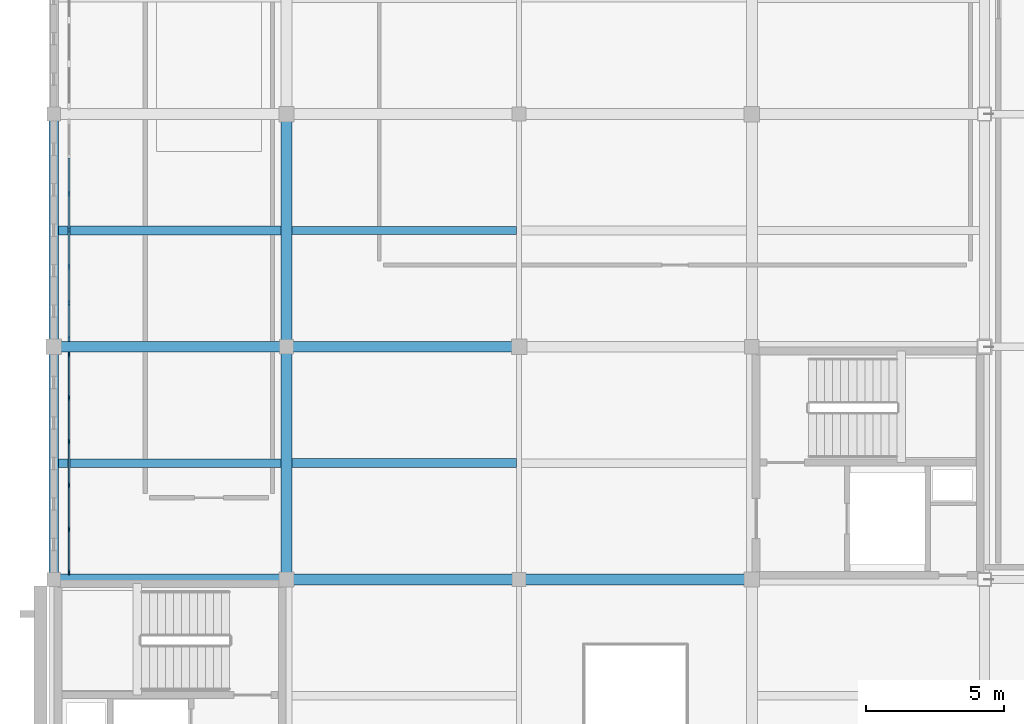
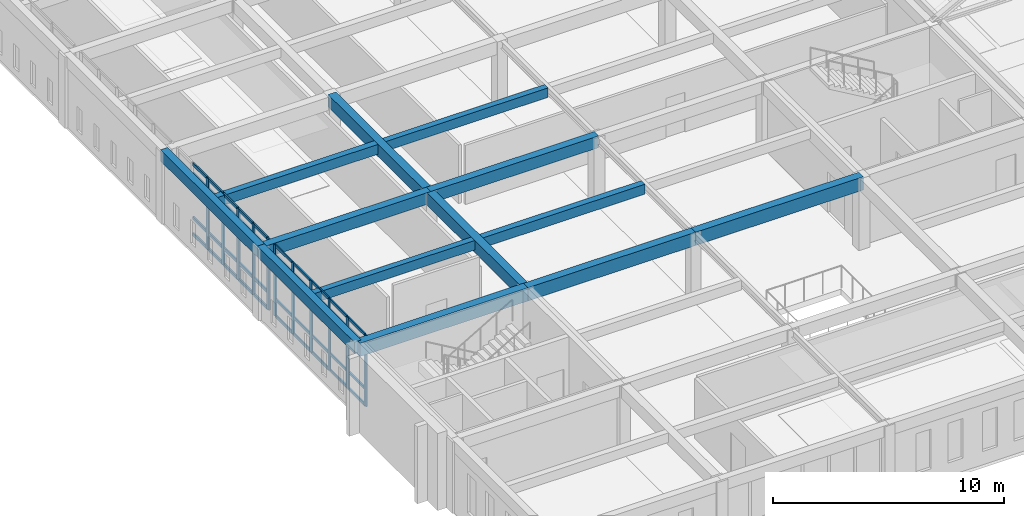
# One storey, part 4 of 36: 51 members, 13 beams, 2 elements without a shape of their own.
"""IFC4 building model written with IfcOpenShell, lengths in metres."""

from ifc_helpers import new_model, si_unit, direction, frame, origin, origin_2d, place, context, subcontext, project, spatial, rectangle, extrude, material, layer, layer_set, material_profile, profile_set, type_object, element, aggregate, save


model = new_model("IFC4")

# Units and contexts
model_context = context("Model", 3, precision=1e-05, world=origin(), true_north=direction((0.0, 1.0)))
body_context = subcontext(model_context, "Body", "Model", "MODEL_VIEW")
ifc_project = project(units=[si_unit("LENGTHUNIT", "METRE"), si_unit("AREAUNIT", "SQUARE_METRE"), si_unit("VOLUMEUNIT", "CUBIC_METRE"), si_unit("PLANEANGLEUNIT", "RADIAN"), si_unit("MASSUNIT", "GRAM", prefix="KILO")], contexts=[model_context])

# Site, building, storey
site_placement = place(None, origin())
site = spatial("IfcSite", under=ifc_project, at=site_placement, CompositionType="ELEMENT")
building_placement = place(site_placement, origin())
building = spatial("IfcBuilding", under=site, at=building_placement, Name="Kveldsbrygga Polytechnic", CompositionType="ELEMENT")
storey_placement = place(building_placement, frame((0.0, 0.0, 22.10009765625)))
storey = spatial("IfcBuildingStorey", under=building, at=storey_placement, Name="L05", CompositionType="ELEMENT", Elevation=22.10009765625)

# Beams
ifc_material_1 = material(Name="Concrete C35/45", Category="concrete")
ifc_material_profile_1 = material_profile(ifc_material_1, rectangle(XDim=0.3798828125, YDim=0.6201171875, at=origin_2d()), Name="RC 380x620")
ifc_profile_set_1 = profile_set([ifc_material_profile_1], Name="Concrete C35/45")
beam_type_1 = type_object("IfcBeamType", Name="BM-RC-380x620", PredefinedType="BEAM", material=ifc_profile_set_1)
beam_1_placement = place(storey_placement, frame((126.0, 42.0, 3.469970703125), z_axis=(1.0, 0.0, 0.0), x_axis=(0.0, 1.0, 0.0)))
element("IfcBeam", 1, at=beam_1_placement, inside=storey, type_object=beam_type_1, Name="Primary Beam BMX-L05-15to16-05", PredefinedType="BEAM", context=body_context, shape_type="SweptSolid", body=[
    extrude(rectangle(XDim=0.3798828125, YDim=0.6201171875, at=origin_2d()), origin(), (0.0, 0.0, 1.0), 8.39990234375),
])
beam_2_placement = place(storey_placement, frame((134.39990234375, 42.0, 3.469970703125), z_axis=(1.0, 0.0, 0.0), x_axis=(0.0, 1.0, 0.0)))
element("IfcBeam", 2, at=beam_2_placement, inside=storey, type_object=beam_type_1, Name="Primary Beam BMX-L05-16to17-05", PredefinedType="BEAM", context=body_context, shape_type="SweptSolid", body=[
    extrude(rectangle(XDim=0.3798828125, YDim=0.6201171875, at=origin_2d()), origin(), (0.0, 0.0, 1.0), 8.400146484375),
])
ifc_material_profile_2 = material_profile(ifc_material_1, rectangle(XDim=0.39990234375, YDim=0.64990234375, at=origin_2d()), Name="RC 400x650")
ifc_profile_set_2 = profile_set([ifc_material_profile_2], Name="Concrete C35/45")
beam_type_2 = type_object("IfcBeamType", Name="BM-RC-400x650", PredefinedType="BEAM", material=ifc_profile_set_2)
for number, where, z_axis, x_axis, name in (
    (3, (134.39990234375, 33.60009765625, 3.454833984375), (0.0, 1.0, 0.0), (-1.0, 0.0, 0.0), "Primary Beam BMY-L05-16-04to05"),
    (4, (134.39990234375, 42.0, 3.454833984375), (0.0, 1.0, 0.0), (-1.0, 0.0, 0.0), "Primary Beam BMY-L05-16-05to06"),
):
    element("IfcBeam", number, at=place(storey_placement, frame(where, z_axis=z_axis, x_axis=x_axis)), inside=storey, type_object=beam_type_2, Name=name, PredefinedType="BEAM", context=body_context, shape_type="SweptSolid", body=[
        extrude(rectangle(XDim=0.39990234375, YDim=0.64990234375, at=origin_2d()), origin(), (0.0, 0.0, 1.0), 8.39990234375),
    ])
ifc_material_profile_3 = material_profile(ifc_material_1, rectangle(XDim=0.39990234375, YDim=0.699951171875, at=origin_2d()), Name="RC 400x700")
ifc_profile_set_3 = profile_set([ifc_material_profile_3], Name="Concrete C35/45")
beam_type_3 = type_object("IfcBeamType", Name="BM-RC-400x700", PredefinedType="BEAM", material=ifc_profile_set_3)
beam_3_placement = place(storey_placement, frame((126.0, 33.60009765625, 3.429931640625), z_axis=(1.0, 0.0, 0.0), x_axis=(0.0, 1.0, 0.0)))
element("IfcBeam", 5, at=beam_3_placement, inside=storey, type_object=beam_type_3, Name="Primary Beam BMX-L05-15to16-04", PredefinedType="BEAM", context=body_context, shape_type="SweptSolid", body=[
    extrude(rectangle(XDim=0.39990234375, YDim=0.699951171875, at=origin_2d()), origin(), (0.0, 0.0, 1.0), 8.39990234375),
])
beam_4_placement = place(storey_placement, frame((134.39990234375, 33.60009765625, 3.429931640625), z_axis=(1.0, 0.0, 0.0), x_axis=(0.0, 1.0, 0.0)))
element("IfcBeam", 6, at=beam_4_placement, inside=storey, type_object=beam_type_3, Name="Primary Beam BMX-L05-16to17-04", PredefinedType="BEAM", context=body_context, shape_type="SweptSolid", body=[
    extrude(rectangle(XDim=0.39990234375, YDim=0.699951171875, at=origin_2d()), origin(), (0.0, 0.0, 1.0), 8.400146484375),
])
beam_5_placement = place(storey_placement, frame((142.800048828125, 33.60009765625, 3.429931640625), z_axis=(1.0, 0.0, 0.0), x_axis=(0.0, 1.0, 0.0)))
element("IfcBeam", 7, at=beam_5_placement, inside=storey, type_object=beam_type_3, Name="Primary Beam BMX-L05-17to18-04", PredefinedType="BEAM", context=body_context, shape_type="SweptSolid", body=[
    extrude(rectangle(XDim=0.39990234375, YDim=0.699951171875, at=origin_2d()), origin(), (0.0, 0.0, 1.0), 8.39990234375),
])
ifc_material_profile_4 = material_profile(ifc_material_1, rectangle(XDim=0.35009765625, YDim=0.60009765625, at=origin_2d()), Name="RC 350x600")
ifc_profile_set_4 = profile_set([ifc_material_profile_4], Name="Concrete C35/45")
beam_type_4 = type_object("IfcBeamType", Name="BM-SPANDREL-600", PredefinedType="T_BEAM", material=ifc_profile_set_4)
for number, where, z_axis, x_axis, name in (
    (8, (126.0, 33.60009765625, 3.47998046875), (0.0, 1.0, 0.0), (-1.0, 0.0, 0.0), "Primary Beam BMY-L05-15-04to05"),
    (9, (126.0, 42.0, 3.47998046875), (0.0, 1.0, 0.0), (-1.0, 0.0, 0.0), "Primary Beam BMY-L05-15-05to06"),
):
    element("IfcBeam", number, at=place(storey_placement, frame(where, z_axis=z_axis, x_axis=x_axis)), inside=storey, type_object=beam_type_4, Name=name, PredefinedType="T_BEAM", context=body_context, shape_type="SweptSolid", body=[
        extrude(rectangle(XDim=0.35009765625, YDim=0.60009765625, at=origin_2d()), origin(), (0.0, 0.0, 1.0), 8.39990234375),
    ])

# Curtain wall, members
ifc_material_2 = material(Name="Anodised aluminium AW-6060", Category="aluminium")
ifc_layer_1 = layer(ifc_material_2, 0.199951171875)
ifc_layer_set_1 = layer_set([ifc_layer_1], Name="Anodised aluminium AW-6060")
curtain_wall_type_1 = type_object("IfcCurtainWallType", Name="CW-CONC-B", PredefinedType="USERDEFINED", material=ifc_layer_set_1)
curtain_wall_1_placement = place(storey_placement, origin())
curtain_wall_1 = element("IfcCurtainWall", 10, at=curtain_wall_1_placement, inside=storey, type_object=curtain_wall_type_1, Name="Curtain Wall CW-L05-Y-15-04", ObjectType="UNITISED CURTAIN WALL", PredefinedType="USERDEFINED")
ifc_material_profile_5 = material_profile(ifc_material_2, rectangle(XDim=0.06005859375, YDim=0.179931640625, at=origin_2d()), Name="ALU 60x180")
ifc_profile_set_5 = profile_set([ifc_material_profile_5], Name="Anodised aluminium AW-6060")
member_type_1 = type_object("IfcMemberType", Name="CW-MUL-180", PredefinedType="MULLION", material=ifc_profile_set_5)
member_1_placement = place(storey_placement, frame((126.550048828125, 33.864990234375, 0.0), z_axis=(0.0, 0.0, 1.0), x_axis=(-1.0, 0.0, 0.0)))
member_1 = element("IfcMember", 11, at=member_1_placement, type_object=member_type_1, Name="CW-02 mullion 1", PredefinedType="MULLION", context=body_context, shape_type="SweptSolid", body=[
    extrude(rectangle(XDim=0.06005859375, YDim=0.179931640625, at=origin_2d()), origin(), (0.0, 0.0, 1.0), 3.77978515625),
])
member_2_placement = place(storey_placement, frame((126.550048828125, 35.416015625, 0.0), z_axis=(0.0, 0.0, 1.0), x_axis=(-1.0, 0.0, 0.0)))
member_2 = element("IfcMember", 12, at=member_2_placement, type_object=member_type_1, Name="CW-02 mullion 2", PredefinedType="MULLION", context=body_context, shape_type="SweptSolid", body=[
    extrude(rectangle(XDim=0.06005859375, YDim=0.179931640625, at=origin_2d()), origin(), (0.0, 0.0, 1.0), 3.77978515625),
])
member_3_placement = place(storey_placement, frame((126.550048828125, 36.9970703125, 0.0), z_axis=(0.0, 0.0, 1.0), x_axis=(-1.0, 0.0, 0.0)))
member_3 = element("IfcMember", 13, at=member_3_placement, type_object=member_type_1, Name="CW-02 mullion 3", PredefinedType="MULLION", context=body_context, shape_type="SweptSolid", body=[
    extrude(rectangle(XDim=0.06005859375, YDim=0.179931640625, at=origin_2d()), origin(), (0.0, 0.0, 1.0), 3.77978515625),
])
member_4_placement = place(storey_placement, frame((126.550048828125, 38.577880859375, 0.0), z_axis=(0.0, 0.0, 1.0), x_axis=(-1.0, 0.0, 0.0)))
member_4 = element("IfcMember", 14, at=member_4_placement, type_object=member_type_1, Name="CW-02 mullion 4", PredefinedType="MULLION", context=body_context, shape_type="SweptSolid", body=[
    extrude(rectangle(XDim=0.06005859375, YDim=0.179931640625, at=origin_2d()), origin(), (0.0, 0.0, 1.0), 3.77978515625),
])
member_5_placement = place(storey_placement, frame((126.550048828125, 40.158935546875, 0.0), z_axis=(0.0, 0.0, 1.0), x_axis=(-1.0, 0.0, 0.0)))
member_5 = element("IfcMember", 15, at=member_5_placement, type_object=member_type_1, Name="CW-02 mullion 5", PredefinedType="MULLION", context=body_context, shape_type="SweptSolid", body=[
    extrude(rectangle(XDim=0.06005859375, YDim=0.179931640625, at=origin_2d()), origin(), (0.0, 0.0, 1.0), 3.77978515625),
])
member_6_placement = place(storey_placement, frame((126.550048828125, 41.7099609375, 0.0), z_axis=(0.0, 0.0, 1.0), x_axis=(-1.0, 0.0, 0.0)))
member_6 = element("IfcMember", 16, at=member_6_placement, type_object=member_type_1, Name="CW-02 mullion 6", PredefinedType="MULLION", context=body_context, shape_type="SweptSolid", body=[
    extrude(rectangle(XDim=0.06005859375, YDim=0.179931640625, at=origin_2d()), origin(), (0.0, 0.0, 1.0), 3.77978515625),
])

ifc_layer_2 = layer(ifc_material_2, 0.159912109375)
ifc_layer_set_2 = layer_set([ifc_layer_2], Name="Anodised aluminium AW-6060")
curtain_wall_type_2 = type_object("IfcCurtainWallType", Name="CW-CLER-C", PredefinedType="USERDEFINED", material=ifc_layer_set_2)
curtain_wall_2_placement = place(storey_placement, origin())
curtain_wall_2 = element("IfcCurtainWall", 17, at=curtain_wall_2_placement, inside=storey, type_object=curtain_wall_type_2, Name="Curtain Wall CW-L05-Y-15-05", ObjectType="STICK CURTAIN WALL", PredefinedType="USERDEFINED")
ifc_material_profile_6 = material_profile(ifc_material_2, rectangle(XDim=0.074951171875, YDim=0.199951171875, at=origin_2d()), Name="ALU 75x200")
ifc_profile_set_6 = profile_set([ifc_material_profile_6], Name="Anodised aluminium AW-6060")
member_type_2 = type_object("IfcMemberType", Name="CW-MUL-200", PredefinedType="MULLION", material=ifc_profile_set_6)
member_7_placement = place(storey_placement, frame((126.550048828125, 42.297607421875, 0.0), z_axis=(0.0, 0.0, 1.0), x_axis=(-1.0, 0.0, 0.0)))
member_7 = element("IfcMember", 18, at=member_7_placement, type_object=member_type_2, Name="CW-03 mullion 1", PredefinedType="MULLION", context=body_context, shape_type="SweptSolid", body=[
    extrude(rectangle(XDim=0.074951171875, YDim=0.199951171875, at=origin_2d()), origin(), (0.0, 0.0, 1.0), 3.77978515625),
])
member_8_placement = place(storey_placement, frame((126.550048828125, 43.577392578125, 0.0), z_axis=(0.0, 0.0, 1.0), x_axis=(-1.0, 0.0, 0.0)))
member_8 = element("IfcMember", 19, at=member_8_placement, type_object=member_type_2, Name="CW-03 mullion 2", PredefinedType="MULLION", context=body_context, shape_type="SweptSolid", body=[
    extrude(rectangle(XDim=0.074951171875, YDim=0.199951171875, at=origin_2d()), origin(), (0.0, 0.0, 1.0), 3.77978515625),
])
member_9_placement = place(storey_placement, frame((126.550048828125, 44.89501953125, 0.0), z_axis=(0.0, 0.0, 1.0), x_axis=(-1.0, 0.0, 0.0)))
member_9 = element("IfcMember", 20, at=member_9_placement, type_object=member_type_2, Name="CW-03 mullion 3", PredefinedType="MULLION", context=body_context, shape_type="SweptSolid", body=[
    extrude(rectangle(XDim=0.074951171875, YDim=0.199951171875, at=origin_2d()), origin(), (0.0, 0.0, 1.0), 3.77978515625),
])
member_10_placement = place(storey_placement, frame((126.550048828125, 46.21240234375, 0.0), z_axis=(0.0, 0.0, 1.0), x_axis=(-1.0, 0.0, 0.0)))
member_10 = element("IfcMember", 21, at=member_10_placement, type_object=member_type_2, Name="CW-03 mullion 4", PredefinedType="MULLION", context=body_context, shape_type="SweptSolid", body=[
    extrude(rectangle(XDim=0.074951171875, YDim=0.199951171875, at=origin_2d()), origin(), (0.0, 0.0, 1.0), 3.77978515625),
])
member_11_placement = place(storey_placement, frame((126.550048828125, 47.530029296875, 0.0), z_axis=(0.0, 0.0, 1.0), x_axis=(-1.0, 0.0, 0.0)))
member_11 = element("IfcMember", 22, at=member_11_placement, type_object=member_type_2, Name="CW-03 mullion 5", PredefinedType="MULLION", context=body_context, shape_type="SweptSolid", body=[
    extrude(rectangle(XDim=0.074951171875, YDim=0.199951171875, at=origin_2d()), origin(), (0.0, 0.0, 1.0), 3.77978515625),
])

# Member
ifc_material_profile_7 = material_profile(ifc_material_2, rectangle(XDim=0.06005859375, YDim=0.14990234375, at=origin_2d()), Name="ALU 60x150")
ifc_profile_set_7 = profile_set([ifc_material_profile_7], Name="Anodised aluminium AW-6060")
member_type_3 = type_object("IfcMemberType", Name="CW-TRN-150", PredefinedType="USERDEFINED", material=ifc_profile_set_7)
member_12_placement = place(storey_placement, frame((126.550048828125, 33.89501953125, 0.02978515625), z_axis=(0.0, 1.0, 0.0), x_axis=(-1.0, 0.0, 0.0)))
member_12 = element("IfcMember", 23, at=member_12_placement, type_object=member_type_3, Name="CW-02 transom 1.1", ObjectType="TRANSOM", PredefinedType="USERDEFINED", context=body_context, shape_type="SweptSolid", body=[
    extrude(rectangle(XDim=0.06005859375, YDim=0.14990234375, at=origin_2d()), origin(), (0.0, 0.0, 1.0), 1.490966796875),
])

member_13_placement = place(storey_placement, frame((126.550048828125, 33.89501953125, 0.89990234375), z_axis=(0.0, 1.0, 0.0), x_axis=(-1.0, 0.0, 0.0)))
member_13 = element("IfcMember", 24, at=member_13_placement, type_object=member_type_3, Name="CW-02 transom 1.2", ObjectType="TRANSOM", PredefinedType="USERDEFINED", context=body_context, shape_type="SweptSolid", body=[
    extrude(rectangle(XDim=0.06005859375, YDim=0.14990234375, at=origin_2d()), origin(), (0.0, 0.0, 1.0), 1.490966796875),
])

member_14_placement = place(storey_placement, frame((126.550048828125, 33.89501953125, 3.22998046875), z_axis=(0.0, 1.0, 0.0), x_axis=(-1.0, 0.0, 0.0)))
member_14 = element("IfcMember", 25, at=member_14_placement, type_object=member_type_3, Name="CW-02 transom 1.3", ObjectType="TRANSOM", PredefinedType="USERDEFINED", context=body_context, shape_type="SweptSolid", body=[
    extrude(rectangle(XDim=0.06005859375, YDim=0.14990234375, at=origin_2d()), origin(), (0.0, 0.0, 1.0), 1.490966796875),
])

member_15_placement = place(storey_placement, frame((126.550048828125, 33.89501953125, 3.75), z_axis=(0.0, 1.0, 0.0), x_axis=(-1.0, 0.0, 0.0)))
member_15 = element("IfcMember", 26, at=member_15_placement, type_object=member_type_3, Name="CW-02 transom 1.4", ObjectType="TRANSOM", PredefinedType="USERDEFINED", context=body_context, shape_type="SweptSolid", body=[
    extrude(rectangle(XDim=0.06005859375, YDim=0.14990234375, at=origin_2d()), origin(), (0.0, 0.0, 1.0), 1.490966796875),
])

member_16_placement = place(storey_placement, frame((126.550048828125, 35.446044921875, 0.02978515625), z_axis=(0.0, 1.0, 0.0), x_axis=(-1.0, 0.0, 0.0)))
member_16 = element("IfcMember", 27, at=member_16_placement, type_object=member_type_3, Name="CW-02 transom 2.1", ObjectType="TRANSOM", PredefinedType="USERDEFINED", context=body_context, shape_type="SweptSolid", body=[
    extrude(rectangle(XDim=0.06005859375, YDim=0.14990234375, at=origin_2d()), origin(), (0.0, 0.0, 1.0), 1.52099609375),
])

member_17_placement = place(storey_placement, frame((126.550048828125, 35.446044921875, 0.89990234375), z_axis=(0.0, 1.0, 0.0), x_axis=(-1.0, 0.0, 0.0)))
member_17 = element("IfcMember", 28, at=member_17_placement, type_object=member_type_3, Name="CW-02 transom 2.2", ObjectType="TRANSOM", PredefinedType="USERDEFINED", context=body_context, shape_type="SweptSolid", body=[
    extrude(rectangle(XDim=0.06005859375, YDim=0.14990234375, at=origin_2d()), origin(), (0.0, 0.0, 1.0), 1.52099609375),
])

member_18_placement = place(storey_placement, frame((126.550048828125, 35.446044921875, 3.22998046875), z_axis=(0.0, 1.0, 0.0), x_axis=(-1.0, 0.0, 0.0)))
member_18 = element("IfcMember", 29, at=member_18_placement, type_object=member_type_3, Name="CW-02 transom 2.3", ObjectType="TRANSOM", PredefinedType="USERDEFINED", context=body_context, shape_type="SweptSolid", body=[
    extrude(rectangle(XDim=0.06005859375, YDim=0.14990234375, at=origin_2d()), origin(), (0.0, 0.0, 1.0), 1.52099609375),
])

member_19_placement = place(storey_placement, frame((126.550048828125, 35.446044921875, 3.75), z_axis=(0.0, 1.0, 0.0), x_axis=(-1.0, 0.0, 0.0)))
member_19 = element("IfcMember", 30, at=member_19_placement, type_object=member_type_3, Name="CW-02 transom 2.4", ObjectType="TRANSOM", PredefinedType="USERDEFINED", context=body_context, shape_type="SweptSolid", body=[
    extrude(rectangle(XDim=0.06005859375, YDim=0.14990234375, at=origin_2d()), origin(), (0.0, 0.0, 1.0), 1.52099609375),
])

member_20_placement = place(storey_placement, frame((126.550048828125, 37.027099609375, 0.02978515625), z_axis=(0.0, 1.0, 0.0), x_axis=(-1.0, 0.0, 0.0)))
member_20 = element("IfcMember", 31, at=member_20_placement, type_object=member_type_3, Name="CW-02 transom 3.1", ObjectType="TRANSOM", PredefinedType="USERDEFINED", context=body_context, shape_type="SweptSolid", body=[
    extrude(rectangle(XDim=0.06005859375, YDim=0.14990234375, at=origin_2d()), origin(), (0.0, 0.0, 1.0), 1.52099609375),
])

member_21_placement = place(storey_placement, frame((126.550048828125, 37.027099609375, 0.89990234375), z_axis=(0.0, 1.0, 0.0), x_axis=(-1.0, 0.0, 0.0)))
member_21 = element("IfcMember", 32, at=member_21_placement, type_object=member_type_3, Name="CW-02 transom 3.2", ObjectType="TRANSOM", PredefinedType="USERDEFINED", context=body_context, shape_type="SweptSolid", body=[
    extrude(rectangle(XDim=0.06005859375, YDim=0.14990234375, at=origin_2d()), origin(), (0.0, 0.0, 1.0), 1.52099609375),
])

member_22_placement = place(storey_placement, frame((126.550048828125, 37.027099609375, 3.22998046875), z_axis=(0.0, 1.0, 0.0), x_axis=(-1.0, 0.0, 0.0)))
member_22 = element("IfcMember", 33, at=member_22_placement, type_object=member_type_3, Name="CW-02 transom 3.3", ObjectType="TRANSOM", PredefinedType="USERDEFINED", context=body_context, shape_type="SweptSolid", body=[
    extrude(rectangle(XDim=0.06005859375, YDim=0.14990234375, at=origin_2d()), origin(), (0.0, 0.0, 1.0), 1.52099609375),
])

member_23_placement = place(storey_placement, frame((126.550048828125, 37.027099609375, 3.75), z_axis=(0.0, 1.0, 0.0), x_axis=(-1.0, 0.0, 0.0)))
member_23 = element("IfcMember", 34, at=member_23_placement, type_object=member_type_3, Name="CW-02 transom 3.4", ObjectType="TRANSOM", PredefinedType="USERDEFINED", context=body_context, shape_type="SweptSolid", body=[
    extrude(rectangle(XDim=0.06005859375, YDim=0.14990234375, at=origin_2d()), origin(), (0.0, 0.0, 1.0), 1.52099609375),
])

member_24_placement = place(storey_placement, frame((126.550048828125, 38.60791015625, 0.02978515625), z_axis=(0.0, 1.0, 0.0), x_axis=(-1.0, 0.0, 0.0)))
member_24 = element("IfcMember", 35, at=member_24_placement, type_object=member_type_3, Name="CW-02 transom 4.1", ObjectType="TRANSOM", PredefinedType="USERDEFINED", context=body_context, shape_type="SweptSolid", body=[
    extrude(rectangle(XDim=0.06005859375, YDim=0.14990234375, at=origin_2d()), origin(), (0.0, 0.0, 1.0), 1.52099609375),
])

member_25_placement = place(storey_placement, frame((126.550048828125, 38.60791015625, 0.89990234375), z_axis=(0.0, 1.0, 0.0), x_axis=(-1.0, 0.0, 0.0)))
member_25 = element("IfcMember", 36, at=member_25_placement, type_object=member_type_3, Name="CW-02 transom 4.2", ObjectType="TRANSOM", PredefinedType="USERDEFINED", context=body_context, shape_type="SweptSolid", body=[
    extrude(rectangle(XDim=0.06005859375, YDim=0.14990234375, at=origin_2d()), origin(), (0.0, 0.0, 1.0), 1.52099609375),
])

member_26_placement = place(storey_placement, frame((126.550048828125, 38.60791015625, 3.22998046875), z_axis=(0.0, 1.0, 0.0), x_axis=(-1.0, 0.0, 0.0)))
member_26 = element("IfcMember", 37, at=member_26_placement, type_object=member_type_3, Name="CW-02 transom 4.3", ObjectType="TRANSOM", PredefinedType="USERDEFINED", context=body_context, shape_type="SweptSolid", body=[
    extrude(rectangle(XDim=0.06005859375, YDim=0.14990234375, at=origin_2d()), origin(), (0.0, 0.0, 1.0), 1.52099609375),
])

member_27_placement = place(storey_placement, frame((126.550048828125, 38.60791015625, 3.75), z_axis=(0.0, 1.0, 0.0), x_axis=(-1.0, 0.0, 0.0)))
member_27 = element("IfcMember", 38, at=member_27_placement, type_object=member_type_3, Name="CW-02 transom 4.4", ObjectType="TRANSOM", PredefinedType="USERDEFINED", context=body_context, shape_type="SweptSolid", body=[
    extrude(rectangle(XDim=0.06005859375, YDim=0.14990234375, at=origin_2d()), origin(), (0.0, 0.0, 1.0), 1.52099609375),
])

member_28_placement = place(storey_placement, frame((126.550048828125, 40.18896484375, 0.02978515625), z_axis=(0.0, 1.0, 0.0), x_axis=(-1.0, 0.0, 0.0)))
member_28 = element("IfcMember", 39, at=member_28_placement, type_object=member_type_3, Name="CW-02 transom 5.1", ObjectType="TRANSOM", PredefinedType="USERDEFINED", context=body_context, shape_type="SweptSolid", body=[
    extrude(rectangle(XDim=0.06005859375, YDim=0.14990234375, at=origin_2d()), origin(), (0.0, 0.0, 1.0), 1.490966796875),
])

member_29_placement = place(storey_placement, frame((126.550048828125, 40.18896484375, 0.89990234375), z_axis=(0.0, 1.0, 0.0), x_axis=(-1.0, 0.0, 0.0)))
member_29 = element("IfcMember", 40, at=member_29_placement, type_object=member_type_3, Name="CW-02 transom 5.2", ObjectType="TRANSOM", PredefinedType="USERDEFINED", context=body_context, shape_type="SweptSolid", body=[
    extrude(rectangle(XDim=0.06005859375, YDim=0.14990234375, at=origin_2d()), origin(), (0.0, 0.0, 1.0), 1.490966796875),
])

member_30_placement = place(storey_placement, frame((126.550048828125, 40.18896484375, 3.22998046875), z_axis=(0.0, 1.0, 0.0), x_axis=(-1.0, 0.0, 0.0)))
member_30 = element("IfcMember", 41, at=member_30_placement, type_object=member_type_3, Name="CW-02 transom 5.3", ObjectType="TRANSOM", PredefinedType="USERDEFINED", context=body_context, shape_type="SweptSolid", body=[
    extrude(rectangle(XDim=0.06005859375, YDim=0.14990234375, at=origin_2d()), origin(), (0.0, 0.0, 1.0), 1.490966796875),
])

member_31_placement = place(storey_placement, frame((126.550048828125, 40.18896484375, 3.75), z_axis=(0.0, 1.0, 0.0), x_axis=(-1.0, 0.0, 0.0)))
member_31 = element("IfcMember", 42, at=member_31_placement, type_object=member_type_3, Name="CW-02 transom 5.4", ObjectType="TRANSOM", PredefinedType="USERDEFINED", context=body_context, shape_type="SweptSolid", body=[
    extrude(rectangle(XDim=0.06005859375, YDim=0.14990234375, at=origin_2d()), origin(), (0.0, 0.0, 1.0), 1.490966796875),
])

aggregate(curtain_wall_1, [member_1, member_2, member_3, member_4, member_5, member_6, member_12, member_13, member_14, member_15, member_16, member_17, member_18, member_19, member_20, member_21, member_22, member_23, member_24, member_25, member_26, member_27, member_28, member_29, member_30, member_31])

ifc_material_profile_8 = material_profile(ifc_material_2, rectangle(XDim=0.074951171875, YDim=0.159912109375, at=origin_2d()), Name="ALU 75x160")
ifc_profile_set_8 = profile_set([ifc_material_profile_8], Name="Anodised aluminium AW-6060")
member_type_4 = type_object("IfcMemberType", Name="CW-TRN-160", PredefinedType="USERDEFINED", material=ifc_profile_set_8)
member_32_placement = place(storey_placement, frame((126.550048828125, 42.3349609375, 0.037353515625), z_axis=(0.0, 1.0, 0.0), x_axis=(-1.0, 0.0, 0.0)))
member_32 = element("IfcMember", 43, at=member_32_placement, type_object=member_type_4, Name="CW-03 transom 1.1", ObjectType="TRANSOM", PredefinedType="USERDEFINED", context=body_context, shape_type="SweptSolid", body=[
    extrude(rectangle(XDim=0.074951171875, YDim=0.159912109375, at=origin_2d()), origin(), (0.0, 0.0, 1.0), 1.205078125),
])

member_33_placement = place(storey_placement, frame((126.550048828125, 42.3349609375, 0.89990234375), z_axis=(0.0, 1.0, 0.0), x_axis=(-1.0, 0.0, 0.0)))
member_33 = element("IfcMember", 44, at=member_33_placement, type_object=member_type_4, Name="CW-03 transom 1.2", ObjectType="TRANSOM", PredefinedType="USERDEFINED", context=body_context, shape_type="SweptSolid", body=[
    extrude(rectangle(XDim=0.074951171875, YDim=0.159912109375, at=origin_2d()), origin(), (0.0, 0.0, 1.0), 1.205078125),
])

member_34_placement = place(storey_placement, frame((126.550048828125, 42.3349609375, 3.22998046875), z_axis=(0.0, 1.0, 0.0), x_axis=(-1.0, 0.0, 0.0)))
member_34 = element("IfcMember", 45, at=member_34_placement, type_object=member_type_4, Name="CW-03 transom 1.3", ObjectType="TRANSOM", PredefinedType="USERDEFINED", context=body_context, shape_type="SweptSolid", body=[
    extrude(rectangle(XDim=0.074951171875, YDim=0.159912109375, at=origin_2d()), origin(), (0.0, 0.0, 1.0), 1.205078125),
])

member_35_placement = place(storey_placement, frame((126.550048828125, 42.3349609375, 3.742431640625), z_axis=(0.0, 1.0, 0.0), x_axis=(-1.0, 0.0, 0.0)))
member_35 = element("IfcMember", 46, at=member_35_placement, type_object=member_type_4, Name="CW-03 transom 1.4", ObjectType="TRANSOM", PredefinedType="USERDEFINED", context=body_context, shape_type="SweptSolid", body=[
    extrude(rectangle(XDim=0.074951171875, YDim=0.159912109375, at=origin_2d()), origin(), (0.0, 0.0, 1.0), 1.205078125),
])

member_36_placement = place(storey_placement, frame((126.550048828125, 43.614990234375, 0.037353515625), z_axis=(0.0, 1.0, 0.0), x_axis=(-1.0, 0.0, 0.0)))
member_36 = element("IfcMember", 47, at=member_36_placement, type_object=member_type_4, Name="CW-03 transom 2.1", ObjectType="TRANSOM", PredefinedType="USERDEFINED", context=body_context, shape_type="SweptSolid", body=[
    extrude(rectangle(XDim=0.074951171875, YDim=0.159912109375, at=origin_2d()), origin(), (0.0, 0.0, 1.0), 1.242431640625),
])

member_37_placement = place(storey_placement, frame((126.550048828125, 43.614990234375, 0.89990234375), z_axis=(0.0, 1.0, 0.0), x_axis=(-1.0, 0.0, 0.0)))
member_37 = element("IfcMember", 48, at=member_37_placement, type_object=member_type_4, Name="CW-03 transom 2.2", ObjectType="TRANSOM", PredefinedType="USERDEFINED", context=body_context, shape_type="SweptSolid", body=[
    extrude(rectangle(XDim=0.074951171875, YDim=0.159912109375, at=origin_2d()), origin(), (0.0, 0.0, 1.0), 1.242431640625),
])

member_38_placement = place(storey_placement, frame((126.550048828125, 43.614990234375, 3.22998046875), z_axis=(0.0, 1.0, 0.0), x_axis=(-1.0, 0.0, 0.0)))
member_38 = element("IfcMember", 49, at=member_38_placement, type_object=member_type_4, Name="CW-03 transom 2.3", ObjectType="TRANSOM", PredefinedType="USERDEFINED", context=body_context, shape_type="SweptSolid", body=[
    extrude(rectangle(XDim=0.074951171875, YDim=0.159912109375, at=origin_2d()), origin(), (0.0, 0.0, 1.0), 1.242431640625),
])

member_39_placement = place(storey_placement, frame((126.550048828125, 43.614990234375, 3.742431640625), z_axis=(0.0, 1.0, 0.0), x_axis=(-1.0, 0.0, 0.0)))
member_39 = element("IfcMember", 50, at=member_39_placement, type_object=member_type_4, Name="CW-03 transom 2.4", ObjectType="TRANSOM", PredefinedType="USERDEFINED", context=body_context, shape_type="SweptSolid", body=[
    extrude(rectangle(XDim=0.074951171875, YDim=0.159912109375, at=origin_2d()), origin(), (0.0, 0.0, 1.0), 1.242431640625),
])

member_40_placement = place(storey_placement, frame((126.550048828125, 44.9326171875, 0.037353515625), z_axis=(0.0, 1.0, 0.0), x_axis=(-1.0, 0.0, 0.0)))
member_40 = element("IfcMember", 51, at=member_40_placement, type_object=member_type_4, Name="CW-03 transom 3.1", ObjectType="TRANSOM", PredefinedType="USERDEFINED", context=body_context, shape_type="SweptSolid", body=[
    extrude(rectangle(XDim=0.074951171875, YDim=0.159912109375, at=origin_2d()), origin(), (0.0, 0.0, 1.0), 1.242431640625),
])

member_41_placement = place(storey_placement, frame((126.550048828125, 44.9326171875, 0.89990234375), z_axis=(0.0, 1.0, 0.0), x_axis=(-1.0, 0.0, 0.0)))
member_41 = element("IfcMember", 52, at=member_41_placement, type_object=member_type_4, Name="CW-03 transom 3.2", ObjectType="TRANSOM", PredefinedType="USERDEFINED", context=body_context, shape_type="SweptSolid", body=[
    extrude(rectangle(XDim=0.074951171875, YDim=0.159912109375, at=origin_2d()), origin(), (0.0, 0.0, 1.0), 1.242431640625),
])

member_42_placement = place(storey_placement, frame((126.550048828125, 44.9326171875, 3.22998046875), z_axis=(0.0, 1.0, 0.0), x_axis=(-1.0, 0.0, 0.0)))
member_42 = element("IfcMember", 53, at=member_42_placement, type_object=member_type_4, Name="CW-03 transom 3.3", ObjectType="TRANSOM", PredefinedType="USERDEFINED", context=body_context, shape_type="SweptSolid", body=[
    extrude(rectangle(XDim=0.074951171875, YDim=0.159912109375, at=origin_2d()), origin(), (0.0, 0.0, 1.0), 1.242431640625),
])

member_43_placement = place(storey_placement, frame((126.550048828125, 44.9326171875, 3.742431640625), z_axis=(0.0, 1.0, 0.0), x_axis=(-1.0, 0.0, 0.0)))
member_43 = element("IfcMember", 54, at=member_43_placement, type_object=member_type_4, Name="CW-03 transom 3.4", ObjectType="TRANSOM", PredefinedType="USERDEFINED", context=body_context, shape_type="SweptSolid", body=[
    extrude(rectangle(XDim=0.074951171875, YDim=0.159912109375, at=origin_2d()), origin(), (0.0, 0.0, 1.0), 1.242431640625),
])

member_44_placement = place(storey_placement, frame((126.550048828125, 46.25, 0.037353515625), z_axis=(0.0, 1.0, 0.0), x_axis=(-1.0, 0.0, 0.0)))
member_44 = element("IfcMember", 55, at=member_44_placement, type_object=member_type_4, Name="CW-03 transom 4.1", ObjectType="TRANSOM", PredefinedType="USERDEFINED", context=body_context, shape_type="SweptSolid", body=[
    extrude(rectangle(XDim=0.074951171875, YDim=0.159912109375, at=origin_2d()), origin(), (0.0, 0.0, 1.0), 1.242431640625),
])

member_45_placement = place(storey_placement, frame((126.550048828125, 46.25, 0.89990234375), z_axis=(0.0, 1.0, 0.0), x_axis=(-1.0, 0.0, 0.0)))
member_45 = element("IfcMember", 56, at=member_45_placement, type_object=member_type_4, Name="CW-03 transom 4.2", ObjectType="TRANSOM", PredefinedType="USERDEFINED", context=body_context, shape_type="SweptSolid", body=[
    extrude(rectangle(XDim=0.074951171875, YDim=0.159912109375, at=origin_2d()), origin(), (0.0, 0.0, 1.0), 1.242431640625),
])

member_46_placement = place(storey_placement, frame((126.550048828125, 46.25, 3.22998046875), z_axis=(0.0, 1.0, 0.0), x_axis=(-1.0, 0.0, 0.0)))
member_46 = element("IfcMember", 57, at=member_46_placement, type_object=member_type_4, Name="CW-03 transom 4.3", ObjectType="TRANSOM", PredefinedType="USERDEFINED", context=body_context, shape_type="SweptSolid", body=[
    extrude(rectangle(XDim=0.074951171875, YDim=0.159912109375, at=origin_2d()), origin(), (0.0, 0.0, 1.0), 1.242431640625),
])

member_47_placement = place(storey_placement, frame((126.550048828125, 46.25, 3.742431640625), z_axis=(0.0, 1.0, 0.0), x_axis=(-1.0, 0.0, 0.0)))
member_47 = element("IfcMember", 58, at=member_47_placement, type_object=member_type_4, Name="CW-03 transom 4.4", ObjectType="TRANSOM", PredefinedType="USERDEFINED", context=body_context, shape_type="SweptSolid", body=[
    extrude(rectangle(XDim=0.074951171875, YDim=0.159912109375, at=origin_2d()), origin(), (0.0, 0.0, 1.0), 1.242431640625),
])

member_48_placement = place(storey_placement, frame((126.550048828125, 47.5673828125, 0.037353515625), z_axis=(0.0, 1.0, 0.0), x_axis=(-1.0, 0.0, 0.0)))
member_48 = element("IfcMember", 59, at=member_48_placement, type_object=member_type_4, Name="CW-03 transom 5.1", ObjectType="TRANSOM", PredefinedType="USERDEFINED", context=body_context, shape_type="SweptSolid", body=[
    extrude(rectangle(XDim=0.074951171875, YDim=0.159912109375, at=origin_2d()), origin(), (0.0, 0.0, 1.0), 1.24267578125),
])

member_49_placement = place(storey_placement, frame((126.550048828125, 47.5673828125, 0.89990234375), z_axis=(0.0, 1.0, 0.0), x_axis=(-1.0, 0.0, 0.0)))
member_49 = element("IfcMember", 60, at=member_49_placement, type_object=member_type_4, Name="CW-03 transom 5.2", ObjectType="TRANSOM", PredefinedType="USERDEFINED", context=body_context, shape_type="SweptSolid", body=[
    extrude(rectangle(XDim=0.074951171875, YDim=0.159912109375, at=origin_2d()), origin(), (0.0, 0.0, 1.0), 1.24267578125),
])

member_50_placement = place(storey_placement, frame((126.550048828125, 47.5673828125, 3.22998046875), z_axis=(0.0, 1.0, 0.0), x_axis=(-1.0, 0.0, 0.0)))
member_50 = element("IfcMember", 61, at=member_50_placement, type_object=member_type_4, Name="CW-03 transom 5.3", ObjectType="TRANSOM", PredefinedType="USERDEFINED", context=body_context, shape_type="SweptSolid", body=[
    extrude(rectangle(XDim=0.074951171875, YDim=0.159912109375, at=origin_2d()), origin(), (0.0, 0.0, 1.0), 1.24267578125),
])

member_51_placement = place(storey_placement, frame((126.550048828125, 47.5673828125, 3.742431640625), z_axis=(0.0, 1.0, 0.0), x_axis=(-1.0, 0.0, 0.0)))
member_51 = element("IfcMember", 62, at=member_51_placement, type_object=member_type_4, Name="CW-03 transom 5.4", ObjectType="TRANSOM", PredefinedType="USERDEFINED", context=body_context, shape_type="SweptSolid", body=[
    extrude(rectangle(XDim=0.074951171875, YDim=0.159912109375, at=origin_2d()), origin(), (0.0, 0.0, 1.0), 1.24267578125),
])

aggregate(curtain_wall_2, [member_7, member_8, member_9, member_10, member_11, member_32, member_33, member_34, member_35, member_36, member_37, member_38, member_39, member_40, member_41, member_42, member_43, member_44, member_45, member_46, member_47, member_48, member_49, member_50, member_51])

# Beams
ifc_material_profile_9 = material_profile(ifc_material_1, rectangle(XDim=0.300048828125, YDim=0.5, at=origin_2d()), Name="RC 300x500")
ifc_profile_set_9 = profile_set([ifc_material_profile_9], Name="Concrete C35/45")
beam_type_5 = type_object("IfcBeamType", Name="JST-RC-300x500", PredefinedType="JOIST", material=ifc_profile_set_9)
beam_6_placement = place(storey_placement, frame((126.175048828125, 37.800048828125, 3.52978515625), z_axis=(1.0, 0.0, 0.0), x_axis=(0.0, 1.0, 0.0)))
element("IfcBeam", 63, at=beam_6_placement, inside=storey, type_object=beam_type_5, Name="Secondary Joist JST-L05-15-04", PredefinedType="JOIST", context=body_context, shape_type="SweptSolid", body=[
    extrude(rectangle(XDim=0.300048828125, YDim=0.5, at=origin_2d()), origin(), (0.0, 0.0, 1.0), 8.02490234375),
])
beam_7_placement = place(storey_placement, frame((134.60009765625, 46.199951171875, 3.52978515625), z_axis=(1.0, 0.0, 0.0), x_axis=(0.0, 1.0, 0.0)))
element("IfcBeam", 64, at=beam_7_placement, inside=storey, type_object=beam_type_5, Name="Secondary Joist JST-L05-16-05", PredefinedType="JOIST", context=body_context, shape_type="SweptSolid", body=[
    extrude(rectangle(XDim=0.300048828125, YDim=0.5, at=origin_2d()), origin(), (0.0, 0.0, 1.0), 8.10986328125),
])
ifc_material_profile_10 = material_profile(ifc_material_1, rectangle(XDim=0.320068359375, YDim=0.52001953125, at=origin_2d()), Name="RC 320x520")
ifc_profile_set_10 = profile_set([ifc_material_profile_10], Name="Concrete C35/45")
beam_type_6 = type_object("IfcBeamType", Name="JST-RC-320x520", PredefinedType="JOIST", material=ifc_profile_set_10)
beam_8_placement = place(storey_placement, frame((126.175048828125, 46.199951171875, 3.52001953125), z_axis=(1.0, 0.0, 0.0), x_axis=(0.0, 1.0, 0.0)))
element("IfcBeam", 65, at=beam_8_placement, inside=storey, type_object=beam_type_6, Name="Secondary Joist JST-L05-15-05", PredefinedType="JOIST", context=body_context, shape_type="SweptSolid", body=[
    extrude(rectangle(XDim=0.320068359375, YDim=0.52001953125, at=origin_2d()), origin(), (0.0, 0.0, 1.0), 8.02490234375),
])
beam_9_placement = place(storey_placement, frame((134.60009765625, 37.800048828125, 3.52001953125), z_axis=(1.0, 0.0, 0.0), x_axis=(0.0, 1.0, 0.0)))
element("IfcBeam", 66, at=beam_9_placement, inside=storey, type_object=beam_type_6, Name="Secondary Joist JST-L05-16-04", PredefinedType="JOIST", context=body_context, shape_type="SweptSolid", body=[
    extrude(rectangle(XDim=0.320068359375, YDim=0.52001953125, at=origin_2d()), origin(), (0.0, 0.0, 1.0), 8.10986328125),
])

save(model, "model.ifc")
